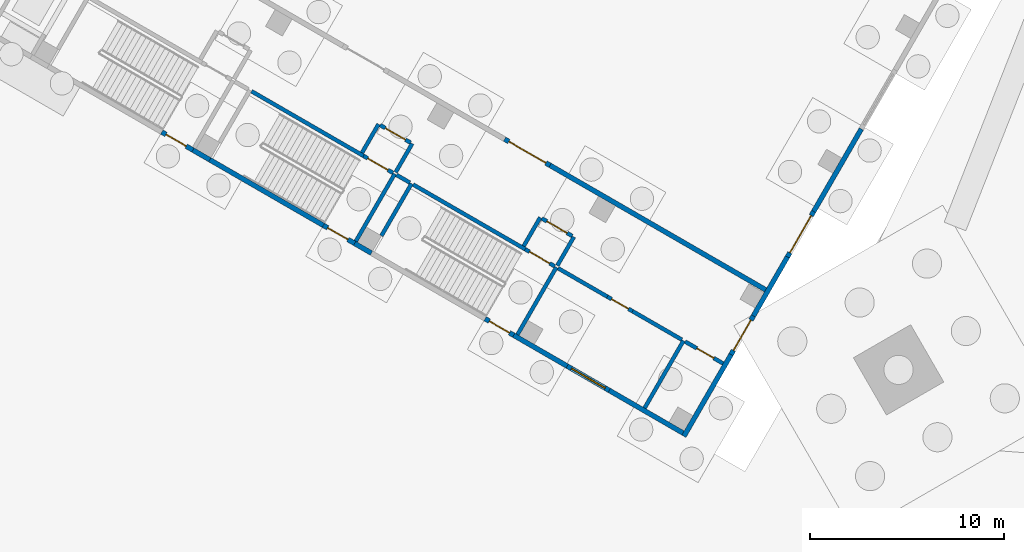
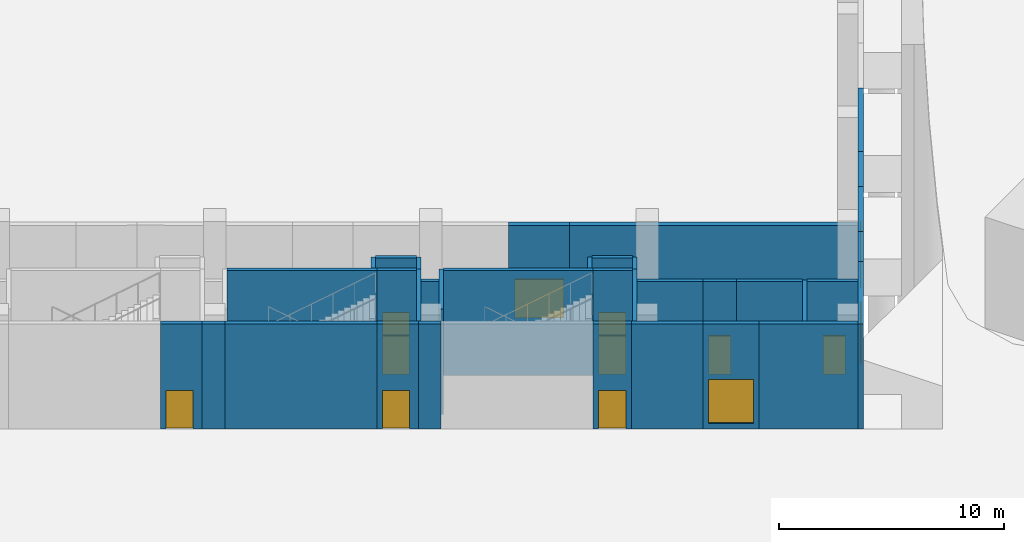
# One storey, part 10 of 38: 35 walls, 12 doors, 1 window, 13 openings.
"""IFC4 building model written with IfcOpenShell, lengths in metres."""

from ifc_helpers import new_model, si_unit, direction, frame, frame_2d, origin, place, context, subcontext, project, spatial, rectangle, extrude, material, layer, layer_set, type_object, element, fill, save


model = new_model("IFC4")

# Units and contexts
model_context = context("Model", 3, precision=1e-05, world=origin(), true_north=direction((0.0, 1.0)))
body_context = subcontext(model_context, "Body", "Model", "MODEL_VIEW")
ifc_project = project(units=[si_unit("LENGTHUNIT", "METRE"), si_unit("AREAUNIT", "SQUARE_METRE"), si_unit("VOLUMEUNIT", "CUBIC_METRE"), si_unit("PLANEANGLEUNIT", "RADIAN"), si_unit("MASSUNIT", "GRAM", prefix="KILO")], contexts=[model_context])

# Site, building, storey
site_placement = place(None, origin())
site = spatial("IfcSite", under=ifc_project, at=site_placement, CompositionType="ELEMENT")
building_placement = place(site_placement, origin())
building = spatial("IfcBuilding", under=site, at=building_placement, Name="Mestral Congress Tower", CompositionType="ELEMENT")
storey_placement = place(building_placement, origin())
storey = spatial("IfcBuildingStorey", under=building, at=storey_placement, Name="L00", CompositionType="ELEMENT", Elevation=0.0)

# Wall
ifc_material_1 = material(Name="Precast concrete C40/50 with limestone facing", Category="masonry")
ifc_layer_1 = layer(ifc_material_1, 0.25)
ifc_layer_set_1 = layer_set([ifc_layer_1], Name="Precast concrete C40/50 with limestone facing")
wall_type_1 = type_object("IfcWallType", Name="Podium external wall 250", PredefinedType="SOLIDWALL", material=ifc_layer_set_1)
wall_1_placement = place(storey_placement, frame((-33.4375, -5.8095703125, 0.0), z_axis=(0.0, 0.0, 1.0), x_axis=(-0.500040169509, -0.866002210665, 0.0)))
element("IfcWall", 1, at=wall_1_placement, inside=storey, type_object=wall_type_1, Name="L00 external wall", PredefinedType="SOLIDWALL", context=body_context, shape_type="SweptSolid", body=[
    extrude(rectangle(XDim=4.89990234375, YDim=0.25, at=frame_2d((2.449951171875, 0.0))), origin(), (0.0, 0.0, 1.0), 5.699951171875),
])

# Wall, opening, door
wall_2_placement = place(storey_placement, frame((-35.8876953125, -10.052978515625, 0.0), z_axis=(0.0, 0.0, 1.0), x_axis=(-0.4999416173, -0.866059108428, 0.0)))
wall_2 = element("IfcWall", 2, at=wall_2_placement, inside=storey, type_object=wall_type_1, Name="L00 external wall", PredefinedType="SOLIDWALL", context=body_context, shape_type="SweptSolid", body=[
    extrude(rectangle(XDim=2.699951171875, YDim=0.25, at=frame_2d((1.35009765625, 0.0))), origin(), (0.0, 0.0, 1.0), 5.699951171875),
])
opening_1_placement = place(wall_2_placement, frame((0.25, 0.0, 0.0)))
opening_1 = element("IfcOpeningElement", 3, at=opening_1_placement, cuts=wall_2, Name="Opening P00-305", PredefinedType="OPENING", context=body_context, shape_type="SweptSolid", body=[
    extrude(rectangle(XDim=2.199951171875, YDim=2.10009765625, at=frame_2d((1.10009765625, 1.050048828125))), frame((0.0, 0.135009765625, 0.0), z_axis=(0.0, -1.0, 0.0), x_axis=(1.0, 0.0, 0.0)), (0.0, 0.0, 1.0), 0.27001953125),
])
ifc_material_2 = material(Name="Steel and glass door set", Category="steel")
door_type_1 = type_object("IfcDoorType", Name="Podium exit door 2200x2100", OperationType="DOUBLE_DOOR_SINGLE_SWING", PredefinedType="DOOR", material=ifc_material_2)
door_1_placement = place(opening_1_placement, origin())
door_1 = element("IfcDoor", 4, at=door_1_placement, inside=storey, type_object=door_type_1, Name="Door P00-305", OperationType="DOUBLE_DOOR_SINGLE_SWING", OverallHeight=2.10009765625, OverallWidth=2.199951171875, PredefinedType="DOOR", context=body_context, shape_type="SweptSolid", body=[
    extrude(rectangle(XDim=2.199951171875, YDim=2.10009765625, at=frame_2d((1.10009765625, 1.050048828125))), frame((0.0, 0.02490234375, 0.0), z_axis=(0.0, -1.0, 0.0), x_axis=(1.0, 0.0, 0.0)), (0.0, 0.0, 1.0), 0.050048828125),
])
fill(opening_1, door_1)

# Wall
wall_3_placement = place(storey_placement, frame((-37.237548828125, -12.391357421875, 0.0), z_axis=(0.0, 0.0, 1.0), x_axis=(-0.499980071345, -0.866036909293, 0.0)))
element("IfcWall", 5, at=wall_3_placement, inside=storey, type_object=wall_type_1, Name="L00 external wall", PredefinedType="SOLIDWALL", context=body_context, shape_type="SweptSolid", body=[
    extrude(rectangle(XDim=3.500244140625, YDim=0.25, at=frame_2d((1.75, 0.0))), origin(), (0.0, 0.0, 1.0), 5.699951171875),
])

# Wall, opening, door
wall_4_placement = place(storey_placement, frame((-38.987548828125, -15.422607421875, 0.0), z_axis=(0.0, 0.0, 1.0), x_axis=(-0.500077740698, -0.865980515519, 0.0)))
wall_4 = element("IfcWall", 6, at=wall_4_placement, inside=storey, type_object=wall_type_1, Name="L00 external wall", PredefinedType="SOLIDWALL", context=body_context, shape_type="SweptSolid", body=[
    extrude(rectangle(XDim=2.300048828125, YDim=0.25, at=frame_2d((1.14990234375, 0.0))), origin(), (0.0, 0.0, 1.0), 5.699951171875),
])
opening_2_placement = place(wall_4_placement, frame((0.25, 0.0, 0.0)))
opening_2 = element("IfcOpeningElement", 7, at=opening_2_placement, cuts=wall_4, Name="Opening P00-306", PredefinedType="OPENING", context=body_context, shape_type="SweptSolid", body=[
    extrude(rectangle(XDim=1.800048828125, YDim=2.10009765625, at=frame_2d((0.89990234375, 1.050048828125))), frame((0.0, 0.135009765625, 0.0), z_axis=(0.0, -1.0, 0.0), x_axis=(1.0, 0.0, 0.0)), (0.0, 0.0, 1.0), 0.27001953125),
])
door_type_2 = type_object("IfcDoorType", Name="Podium exit door 1800x2100", OperationType="DOUBLE_DOOR_SINGLE_SWING", PredefinedType="DOOR", material=ifc_material_2)
door_2_placement = place(opening_2_placement, origin())
door_2 = element("IfcDoor", 8, at=door_2_placement, inside=storey, type_object=door_type_2, Name="Door P00-306", OperationType="DOUBLE_DOOR_SINGLE_SWING", OverallHeight=2.10009765625, OverallWidth=1.800048828125, PredefinedType="DOOR", context=body_context, shape_type="SweptSolid", body=[
    extrude(rectangle(XDim=1.800048828125, YDim=2.10009765625, at=frame_2d((0.89990234375, 1.050048828125))), frame((0.0, 0.02490234375, 0.0), z_axis=(0.0, -1.0, 0.0), x_axis=(1.0, 0.0, 0.0)), (0.0, 0.0, 1.0), 0.050048828125),
])
fill(opening_2, door_2)

# Walls
wall_5_placement = place(storey_placement, frame((-40.1376953125, -17.414306640625, 0.0), z_axis=(0.0, 0.0, 1.0), x_axis=(-0.499972286653, -0.866041403502, 0.0)))
element("IfcWall", 9, at=wall_5_placement, inside=storey, type_object=wall_type_1, Name="L00 external wall", PredefinedType="SOLIDWALL", context=body_context, shape_type="SweptSolid", body=[
    extrude(rectangle(XDim=4.849853515625, YDim=0.25, at=frame_2d((2.4248046875, 0.0))), origin(), (0.0, 0.0, 1.0), 5.699951171875),
])
wall_6_placement = place(storey_placement, frame((-42.6083984375, -21.44384765625, 0.0), z_axis=(0.0, 0.0, 1.0), x_axis=(-0.866022959057, 0.500004234368, 0.0)))
element("IfcWall", 10, at=wall_6_placement, inside=storey, type_object=wall_type_1, Name="L00 external wall", PredefinedType="SOLIDWALL", context=body_context, shape_type="SweptSolid", body=[
    extrude(rectangle(XDim=4.375, YDim=0.25, at=frame_2d((2.1875, 0.0))), origin(), (0.0, 0.0, 1.0), 5.699951171875),
])

# Wall, opening, window
wall_7_placement = place(storey_placement, frame((-46.397216796875, -19.25634765625, 0.0), z_axis=(0.0, 0.0, 1.0), x_axis=(-0.866022959057, 0.500004234368, 0.0)))
wall_7 = element("IfcWall", 11, at=wall_7_placement, inside=storey, type_object=wall_type_1, Name="L00 external wall", PredefinedType="SOLIDWALL", context=body_context, shape_type="SweptSolid", body=[
    extrude(rectangle(XDim=2.5, YDim=0.25, at=frame_2d((1.25, 0.0))), origin(), (0.0, 0.0, 1.0), 5.699951171875),
])
opening_3_placement = place(wall_7_placement, frame((0.25, 0.0, 0.300048828125)))
opening_3 = element("IfcOpeningElement", 12, at=opening_3_placement, cuts=wall_7, Name="Opening PW-2000x2400", PredefinedType="OPENING", context=body_context, shape_type="SweptSolid", body=[
    extrude(rectangle(XDim=2.0, YDim=2.39990234375, at=frame_2d((1.0, 1.199951171875))), frame((0.0, 0.135009765625, 0.0), z_axis=(0.0, -1.0, 0.0), x_axis=(1.0, 0.0, 0.0)), (0.0, 0.0, 1.0), 0.27001953125),
])
ifc_material_3 = material(Name="Aluminium frame, clear double glazing", Category="aluminium")
window_type = type_object("IfcWindowType", Name="Podium window 2000x2400 sill 300", PartitioningType="SINGLE_PANEL", PredefinedType="WINDOW", material=ifc_material_3)
window_placement = place(opening_3_placement, origin())
window = element("IfcWindow", 13, at=window_placement, inside=storey, type_object=window_type, Name="Window", OverallHeight=2.39990234375, OverallWidth=2.0, PartitioningType="SINGLE_PANEL", PredefinedType="WINDOW", context=body_context, shape_type="SweptSolid", body=[
    extrude(rectangle(XDim=2.0, YDim=2.39990234375, at=frame_2d((1.0, 1.199951171875))), frame((0.0, 0.030029296875, 0.0), z_axis=(0.0, -1.0, 0.0), x_axis=(1.0, 0.0, 0.0)), (0.0, 0.0, 1.0), 0.06005859375),
])
fill(opening_3, window)

# Wall
wall_8_placement = place(storey_placement, frame((-48.562255859375, -18.00634765625, 0.0), z_axis=(0.0, 0.0, 1.0), x_axis=(-0.866015284814, 0.500017526161, 0.0)))
element("IfcWall", 14, at=wall_8_placement, inside=storey, type_object=wall_type_1, Name="L00 external wall", PredefinedType="SOLIDWALL", context=body_context, shape_type="SweptSolid", body=[
    extrude(rectangle(XDim=3.17529296875, YDim=0.25, at=frame_2d((1.587646484375, 0.0))), origin(), (0.0, 0.0, 1.0), 5.699951171875),
])

# Wall, opening, door
wall_9_placement = place(storey_placement, frame((-51.31201171875, -16.418701171875, 0.0), z_axis=(0.0, 0.0, 1.0), x_axis=(-0.86605165483, 0.499954529098, 0.0)))
wall_9 = element("IfcWall", 15, at=wall_9_placement, inside=storey, type_object=wall_type_1, Name="L00 external wall", PredefinedType="SOLIDWALL", context=body_context, shape_type="SweptSolid", body=[
    extrude(rectangle(XDim=1.699951171875, YDim=0.25, at=frame_2d((0.85009765625, 0.0))), origin(), (0.0, 0.0, 1.0), 5.699951171875),
])
opening_4_placement = place(wall_9_placement, frame((0.25, 0.0, 0.0)))
opening_4 = element("IfcOpeningElement", 16, at=opening_4_placement, cuts=wall_9, Name="Opening P00-316", PredefinedType="OPENING", context=body_context, shape_type="SweptSolid", body=[
    extrude(rectangle(XDim=1.199951171875, YDim=2.10009765625, at=frame_2d((0.60009765625, 1.050048828125))), frame((0.0, 0.135009765625, 0.0), z_axis=(0.0, -1.0, 0.0), x_axis=(1.0, 0.0, 0.0)), (0.0, 0.0, 1.0), 0.27001953125),
])
door_type_3 = type_object("IfcDoorType", Name="Podium exit door 1200x2100", OperationType="SINGLE_SWING_LEFT", PredefinedType="DOOR", material=ifc_material_2)
door_3_placement = place(opening_4_placement, origin())
door_3 = element("IfcDoor", 17, at=door_3_placement, inside=storey, type_object=door_type_3, Name="Door P00-316", OperationType="SINGLE_SWING_LEFT", OverallHeight=2.10009765625, OverallWidth=1.199951171875, PredefinedType="DOOR", context=body_context, shape_type="SweptSolid", body=[
    extrude(rectangle(XDim=1.199951171875, YDim=2.10009765625, at=frame_2d((0.60009765625, 1.050048828125))), frame((0.0, 0.02490234375, 0.0), z_axis=(0.0, -1.0, 0.0), x_axis=(1.0, 0.0, 0.0)), (0.0, 0.0, 1.0), 0.050048828125),
])
fill(opening_4, door_3)

wall_10_placement = place(storey_placement, frame((-59.495849609375, -11.69384765625, 0.0), z_axis=(0.0, 0.0, 1.0), x_axis=(-0.866000971088, 0.500042316284, 0.0)))
wall_10 = element("IfcWall", 18, at=wall_10_placement, inside=storey, type_object=wall_type_1, Name="L00 external wall", PredefinedType="SOLIDWALL", context=body_context, shape_type="SweptSolid", body=[
    extrude(rectangle(XDim=1.849853515625, YDim=0.25, at=frame_2d((0.9248046875, 0.0))), origin(), (0.0, 0.0, 1.0), 5.699951171875),
])
opening_5_placement = place(wall_10_placement, frame((0.39990234375, 0.0, 0.0)))
opening_5 = element("IfcOpeningElement", 19, at=opening_5_placement, cuts=wall_10, Name="Opening P00-317", PredefinedType="OPENING", context=body_context, shape_type="SweptSolid", body=[
    extrude(rectangle(XDim=1.199951171875, YDim=2.10009765625, at=frame_2d((0.60009765625, 1.050048828125))), frame((0.0, 0.135009765625, 0.0), z_axis=(0.0, -1.0, 0.0), x_axis=(1.0, 0.0, 0.0)), (0.0, 0.0, 1.0), 0.27001953125),
])
door_4_placement = place(opening_5_placement, origin())
door_4 = element("IfcDoor", 20, at=door_4_placement, inside=storey, type_object=door_type_3, Name="Door P00-317", OperationType="SINGLE_SWING_LEFT", OverallHeight=2.10009765625, OverallWidth=1.199951171875, PredefinedType="DOOR", context=body_context, shape_type="SweptSolid", body=[
    extrude(rectangle(XDim=1.199951171875, YDim=2.10009765625, at=frame_2d((0.60009765625, 1.050048828125))), frame((0.0, 0.02490234375, 0.0), z_axis=(0.0, -1.0, 0.0), x_axis=(1.0, 0.0, 0.0)), (0.0, 0.0, 1.0), 0.050048828125),
])
fill(opening_5, door_4)

# Wall
wall_11_placement = place(storey_placement, frame((-61.097900390625, -10.768798828125, 0.0), z_axis=(0.0, 0.0, 1.0), x_axis=(-0.866026575979, 0.499997969693, 0.0)))
element("IfcWall", 21, at=wall_11_placement, inside=storey, type_object=wall_type_1, Name="L00 external wall", PredefinedType="SOLIDWALL", context=body_context, shape_type="SweptSolid", body=[
    extrude(rectangle(XDim=6.75, YDim=0.25, at=frame_2d((3.375, 0.0))), origin(), (0.0, 0.0, 1.0), 5.699951171875),
])

# Wall, opening, door
wall_12_placement = place(storey_placement, frame((-67.8095703125, -6.893798828125, 0.0), z_axis=(0.0, 0.0, 1.0), x_axis=(-0.866033964044, 0.499985172903, 0.0)))
wall_12 = element("IfcWall", 22, at=wall_12_placement, inside=storey, type_object=wall_type_1, Name="L00 external wall", PredefinedType="SOLIDWALL", context=body_context, shape_type="SweptSolid", body=[
    extrude(rectangle(XDim=1.85009765625, YDim=0.25, at=frame_2d((0.925048828125, 0.0))), origin(), (0.0, 0.0, 1.0), 5.699951171875),
])
opening_6_placement = place(wall_12_placement, frame((0.39990234375, 0.0, 0.0)))
opening_6 = element("IfcOpeningElement", 23, at=opening_6_placement, cuts=wall_12, Name="Opening P00-318", PredefinedType="OPENING", context=body_context, shape_type="SweptSolid", body=[
    extrude(rectangle(XDim=1.199951171875, YDim=2.10009765625, at=frame_2d((0.60009765625, 1.050048828125))), frame((0.0, 0.135009765625, 0.0), z_axis=(0.0, -1.0, 0.0), x_axis=(1.0, 0.0, 0.0)), (0.0, 0.0, 1.0), 0.27001953125),
])
door_5_placement = place(opening_6_placement, origin())
door_5 = element("IfcDoor", 24, at=door_5_placement, inside=storey, type_object=door_type_3, Name="Door P00-318", OperationType="SINGLE_SWING_LEFT", OverallHeight=2.10009765625, OverallWidth=1.199951171875, PredefinedType="DOOR", context=body_context, shape_type="SweptSolid", body=[
    extrude(rectangle(XDim=1.199951171875, YDim=2.10009765625, at=frame_2d((0.60009765625, 1.050048828125))), frame((0.0, 0.02490234375, 0.0), z_axis=(0.0, -1.0, 0.0), x_axis=(1.0, 0.0, 0.0)), (0.0, 0.0, 1.0), 0.050048828125),
])
fill(opening_6, door_5)

# Walls
for number, where, z_axis, x_axis, name in (
    (25, (-58.6298828125, -12.19384765625, 0.0), (0.0, 0.0, 1.0), (-0.866010750942, 0.50002537861, 0.0), "L00 external wall"),
    (26, (-66.943603515625, -7.393798828125, 0.0), (0.0, 0.0, 1.0), (-0.866010750942, 0.50002537861, 0.0), "L00 external wall"),
):
    element("IfcWall", number, at=place(storey_placement, frame(where, z_axis=z_axis, x_axis=x_axis)), inside=storey, type_object=wall_type_1, Name=name, PredefinedType="SOLIDWALL", context=body_context, shape_type="SweptSolid", body=[
        extrude(rectangle(XDim=1.0, YDim=0.25, at=frame_2d((0.5, 0.0))), origin(), (0.0, 0.0, 1.0), 5.699951171875),
    ])
ifc_material_4 = material(Name="Masonry block wall", Category="masonry")
ifc_layer_2 = layer(ifc_material_4, 0.25)
ifc_layer_set_2 = layer_set([ifc_layer_2], Name="Masonry block wall")
wall_type_2 = type_object("IfcWallType", Name="Podium hall wall 250 EI 180", PredefinedType="SOLIDWALL", material=ifc_layer_set_2)
wall_13_placement = place(storey_placement, frame((-38.3583984375, -14.08251953125, 0.0), z_axis=(0.0, 0.0, 1.0), x_axis=(-0.866025499775, 0.499999833739, 0.0)))
element("IfcWall", 27, at=wall_13_placement, inside=storey, type_object=wall_type_2, Name="L00 partition", PredefinedType="SOLIDWALL", context=body_context, shape_type="SweptSolid", body=[
    extrude(rectangle(XDim=12.7998046875, YDim=0.25, at=frame_2d((6.39990234375, 0.0))), origin(), (0.0, 0.0, 1.0), 5.10009765625),
])

# Wall, opening, door
wall_14_placement = place(storey_placement, frame((-49.443359375, -7.6826171875, 0.0), z_axis=(0.0, 0.0, 1.0), x_axis=(-0.866019956843, 0.50000943426, 0.0)))
wall_14 = element("IfcWall", 28, at=wall_14_placement, inside=storey, type_object=wall_type_2, Name="L00 partition", PredefinedType="SOLIDWALL", context=body_context, shape_type="SweptSolid", body=[
    extrude(rectangle(XDim=2.7001953125, YDim=0.25, at=frame_2d((1.35009765625, 0.0))), origin(), (0.0, 0.0, 1.0), 5.10009765625),
])
opening_7_placement = place(wall_14_placement, frame((0.25, 0.0, 0.0)))
opening_7 = element("IfcOpeningElement", 29, at=opening_7_placement, cuts=wall_14, Name="Opening P00-338", PredefinedType="OPENING", context=body_context, shape_type="SweptSolid", body=[
    extrude(rectangle(XDim=2.199951171875, YDim=2.10009765625, at=frame_2d((1.10009765625, 1.050048828125))), frame((0.0, 0.135009765625, 0.0), z_axis=(0.0, -1.0, 0.0), x_axis=(1.0, 0.0, 0.0)), (0.0, 0.0, 1.0), 0.27001953125),
])
ifc_material_5 = material(Name="Fire-rated steel door set", Category="steel")
door_type_4 = type_object("IfcDoorType", Name="Podium hall door 2200x2100 EI2 90-C5", OperationType="DOUBLE_DOOR_SINGLE_SWING", PredefinedType="DOOR", material=ifc_material_5)
door_6_placement = place(opening_7_placement, origin())
door_6 = element("IfcDoor", 30, at=door_6_placement, inside=storey, type_object=door_type_4, Name="Door P00-338", OperationType="DOUBLE_DOOR_SINGLE_SWING", OverallHeight=2.10009765625, OverallWidth=2.199951171875, PredefinedType="DOOR", context=body_context, shape_type="SweptSolid", body=[
    extrude(rectangle(XDim=2.199951171875, YDim=2.10009765625, at=frame_2d((1.10009765625, 1.050048828125))), frame((0.0, 0.02490234375, 0.0), z_axis=(0.0, -1.0, 0.0), x_axis=(1.0, 0.0, 0.0)), (0.0, 0.0, 1.0), 0.050048828125),
])
fill(opening_7, door_6)

# Walls
ifc_layer_3 = layer(ifc_material_4, 0.199951171875)
ifc_layer_set_3 = layer_set([ifc_layer_3], Name="Masonry block wall")
wall_type_3 = type_object("IfcWallType", Name="Podium stair enclosure wall 200 EI 120 load-bearing", PredefinedType="SOLIDWALL", material=ifc_layer_set_3)
wall_15_placement = place(storey_placement, frame((-49.119384765625, -12.92138671875, 0.0), z_axis=(0.0, 0.0, 1.0), x_axis=(-0.49999894854, -0.866026010844, 0.0)))
element("IfcWall", 31, at=wall_15_placement, inside=storey, type_object=wall_type_3, Name="L00 partition", PredefinedType="SOLIDWALL", context=body_context, shape_type="SweptSolid", body=[
    extrude(rectangle(XDim=4.0, YDim=0.199951171875, at=frame_2d((2.0, 0.0))), origin(), (0.0, 0.0, 1.0), 5.699951171875),
])
wall_16_placement = place(storey_placement, frame((-56.5673828125, -8.621337890625, 0.0), z_axis=(0.0, 0.0, 1.0), x_axis=(-0.499933790963, -0.866063626216, 0.0)))
element("IfcWall", 32, at=wall_16_placement, inside=storey, type_object=wall_type_3, Name="L00 partition", PredefinedType="SOLIDWALL", context=body_context, shape_type="SweptSolid", body=[
    extrude(rectangle(XDim=3.10009765625, YDim=0.199951171875, at=frame_2d((1.550048828125, 0.0))), origin(), (0.0, 0.0, 1.0), 5.699951171875),
])
wall_17_placement = place(storey_placement, frame((-57.433349609375, -8.121337890625, 0.0), z_axis=(0.0, 0.0, 1.0), x_axis=(-0.49999894854, -0.866026010844, 0.0)))
element("IfcWall", 33, at=wall_17_placement, inside=storey, type_object=wall_type_3, Name="L00 partition", PredefinedType="SOLIDWALL", context=body_context, shape_type="SweptSolid", body=[
    extrude(rectangle(XDim=4.0, YDim=0.199951171875, at=frame_2d((2.0, 0.0))), origin(), (0.0, 0.0, 1.0), 5.699951171875),
])

# Wall, opening, door
wall_18_placement = place(storey_placement, frame((-49.2060546875, -12.871337890625, 0.0), z_axis=(0.0, 0.0, 1.0), x_axis=(-0.866036909293, 0.499980071345, 0.0)))
wall_18 = element("IfcWall", 34, at=wall_18_placement, inside=storey, type_object=wall_type_3, Name="L00 partition", PredefinedType="SOLIDWALL", context=body_context, shape_type="SweptSolid", body=[
    extrude(rectangle(XDim=1.75, YDim=0.199951171875, at=frame_2d((0.875, 0.0))), origin(), (0.0, 0.0, 1.0), 5.699951171875),
])
opening_8_placement = place(wall_18_placement, frame((0.300048828125, 0.0, 0.0)))
opening_8 = element("IfcOpeningElement", 35, at=opening_8_placement, cuts=wall_18, Name="Opening P00-322", PredefinedType="OPENING", context=body_context, shape_type="SweptSolid", body=[
    extrude(rectangle(XDim=1.199951171875, YDim=2.10009765625, at=frame_2d((0.60009765625, 1.050048828125))), frame((0.0, 0.10986328125, 0.0), z_axis=(0.0, -1.0, 0.0), x_axis=(1.0, 0.0, 0.0)), (0.0, 0.0, 1.0), 0.219970703125),
])
door_type_5 = type_object("IfcDoorType", Name="Podium stair door 1200x2100 EI2 30-C5", OperationType="SINGLE_SWING_LEFT", PredefinedType="DOOR", material=ifc_material_5)
door_7_placement = place(opening_8_placement, origin())
door_7 = element("IfcDoor", 36, at=door_7_placement, inside=storey, type_object=door_type_5, Name="Door P00-322", OperationType="SINGLE_SWING_LEFT", OverallHeight=2.10009765625, OverallWidth=1.199951171875, PredefinedType="DOOR", context=body_context, shape_type="SweptSolid", body=[
    extrude(rectangle(XDim=1.199951171875, YDim=2.10009765625, at=frame_2d((0.60009765625, 1.050048828125))), frame((0.0, 0.02490234375, 0.0), z_axis=(0.0, -1.0, 0.0), x_axis=(1.0, 0.0, 0.0)), (0.0, 0.0, 1.0), 0.050048828125),
])
fill(opening_8, door_7)

# Wall
wall_19_placement = place(storey_placement, frame((-50.7216796875, -11.996337890625, 0.0), z_axis=(0.0, 0.0, 1.0), x_axis=(-0.866027239912, 0.49999681972, 0.0)))
element("IfcWall", 37, at=wall_19_placement, inside=storey, type_object=wall_type_3, Name="L00 partition", PredefinedType="SOLIDWALL", context=body_context, shape_type="SweptSolid", body=[
    extrude(rectangle(XDim=6.64990234375, YDim=0.199951171875, at=frame_2d((3.324951171875, 0.0))), origin(), (0.0, 0.0, 1.0), 5.699951171875),
])

# Wall, opening, door
wall_20_placement = place(storey_placement, frame((-57.52001953125, -8.0712890625, 0.0), z_axis=(0.0, 0.0, 1.0), x_axis=(-0.866002029911, 0.500040482552, 0.0)))
wall_20 = element("IfcWall", 38, at=wall_20_placement, inside=storey, type_object=wall_type_3, Name="L00 partition", PredefinedType="SOLIDWALL", context=body_context, shape_type="SweptSolid", body=[
    extrude(rectangle(XDim=1.749755859375, YDim=0.199951171875, at=frame_2d((0.875, 0.0))), origin(), (0.0, 0.0, 1.0), 5.699951171875),
])
opening_9_placement = place(wall_20_placement, frame((0.300048828125, 0.0, 0.0)))
opening_9 = element("IfcOpeningElement", 39, at=opening_9_placement, cuts=wall_20, Name="Opening P00-323", PredefinedType="OPENING", context=body_context, shape_type="SweptSolid", body=[
    extrude(rectangle(XDim=1.199951171875, YDim=2.10009765625, at=frame_2d((0.60009765625, 1.050048828125))), frame((0.0, 0.10986328125, 0.0), z_axis=(0.0, -1.0, 0.0), x_axis=(1.0, 0.0, 0.0)), (0.0, 0.0, 1.0), 0.219970703125),
])
door_8_placement = place(opening_9_placement, origin())
door_8 = element("IfcDoor", 40, at=door_8_placement, inside=storey, type_object=door_type_5, Name="Door P00-323", OperationType="SINGLE_SWING_LEFT", OverallHeight=2.10009765625, OverallWidth=1.199951171875, PredefinedType="DOOR", context=body_context, shape_type="SweptSolid", body=[
    extrude(rectangle(XDim=1.199951171875, YDim=2.10009765625, at=frame_2d((0.60009765625, 1.050048828125))), frame((0.0, 0.02490234375, 0.0), z_axis=(0.0, -1.0, 0.0), x_axis=(1.0, 0.0, 0.0)), (0.0, 0.0, 1.0), 0.050048828125),
])
fill(opening_9, door_8)

# Walls
wall_21_placement = place(storey_placement, frame((-59.035400390625, -7.1962890625, 0.0), z_axis=(0.0, 0.0, 1.0), x_axis=(-0.866027239912, 0.49999681972, 0.0)))
element("IfcWall", 41, at=wall_21_placement, inside=storey, type_object=wall_type_3, Name="L00 partition", PredefinedType="SOLIDWALL", context=body_context, shape_type="SweptSolid", body=[
    extrude(rectangle(XDim=6.64990234375, YDim=0.199951171875, at=frame_2d((3.324951171875, 0.0))), origin(), (0.0, 0.0, 1.0), 5.699951171875),
])
ifc_material_6 = material(Name="Fire-rated board partition")
ifc_layer_4 = layer(ifc_material_6, 0.199951171875)
ifc_layer_set_4 = layer_set([ifc_layer_4], Name="Fire-rated board partition")
wall_type_4 = type_object("IfcWallType", Name="Podium vestibule wall 200 EI 120", PredefinedType="PARTITIONING", material=ifc_layer_set_4)
for number, where, z_axis, x_axis, name in (
    (42, (-48.219482421875, -11.362548828125, 0.0), (0.0, 0.0, 1.0), (-0.500062241894, -0.865989465428, 0.0), "L00 partition"),
    (43, (-49.951416015625, -10.362548828125, 0.0), (0.0, 0.0, 1.0), (-0.500062241894, -0.865989465428, 0.0), "L00 partition"),
):
    element("IfcWall", number, at=place(storey_placement, frame(where, z_axis=z_axis, x_axis=x_axis)), inside=storey, type_object=wall_type_4, Name=name, PredefinedType="PARTITIONING", context=body_context, shape_type="SweptSolid", body=[
        extrude(rectangle(XDim=1.699951171875, YDim=0.199951171875, at=frame_2d((0.85009765625, 0.0))), origin(), (0.0, 0.0, 1.0), 5.10009765625),
    ])
for number, where, z_axis, x_axis, name in (
    (44, (-56.533203125, -6.5625, 0.0), (0.0, 0.0, 1.0), (-0.500000056704, -0.866025371046, 0.0), "L00 partition"),
    (45, (-58.265380859375, -5.5625, 0.0), (0.0, 0.0, 1.0), (-0.500000056704, -0.866025371046, 0.0), "L00 partition"),
):
    element("IfcWall", number, at=place(storey_placement, frame(where, z_axis=z_axis, x_axis=x_axis)), inside=storey, type_object=wall_type_4, Name=name, PredefinedType="PARTITIONING", context=body_context, shape_type="SweptSolid", body=[
        extrude(rectangle(XDim=1.7001953125, YDim=0.199951171875, at=frame_2d((0.85009765625, 0.0))), origin(), (0.0, 0.0, 1.0), 5.10009765625),
    ])

# Wall, opening, door
wall_22_placement = place(storey_placement, frame((-48.30615234375, -11.3125, 0.0), z_axis=(0.0, 0.0, 1.0), x_axis=(-0.866047807691, 0.499961193289, 0.0)))
wall_22 = element("IfcWall", 46, at=wall_22_placement, inside=storey, type_object=wall_type_4, Name="L00 partition", PredefinedType="PARTITIONING", context=body_context, shape_type="SweptSolid", body=[
    extrude(rectangle(XDim=1.800048828125, YDim=0.199951171875, at=frame_2d((0.89990234375, 0.0))), origin(), (0.0, 0.0, 1.0), 5.10009765625),
])
opening_10_placement = place(wall_22_placement, frame((0.300048828125, 0.0, 0.0)))
opening_10 = element("IfcOpeningElement", 47, at=opening_10_placement, cuts=wall_22, Name="Opening P00-332", PredefinedType="OPENING", context=body_context, shape_type="SweptSolid", body=[
    extrude(rectangle(XDim=1.199951171875, YDim=2.10009765625, at=frame_2d((0.60009765625, 1.050048828125))), frame((0.0, 0.10986328125, 0.0), z_axis=(0.0, -1.0, 0.0), x_axis=(1.0, 0.0, 0.0)), (0.0, 0.0, 1.0), 0.219970703125),
])
door_type_6 = type_object("IfcDoorType", Name="Podium vestibule door 1200x2100 EI2 30-C5", OperationType="SINGLE_SWING_LEFT", PredefinedType="DOOR", material=ifc_material_5)
door_9_placement = place(opening_10_placement, origin())
door_9 = element("IfcDoor", 48, at=door_9_placement, inside=storey, type_object=door_type_6, Name="Door P00-332", OperationType="SINGLE_SWING_LEFT", OverallHeight=2.10009765625, OverallWidth=1.199951171875, PredefinedType="DOOR", context=body_context, shape_type="SweptSolid", body=[
    extrude(rectangle(XDim=1.199951171875, YDim=2.10009765625, at=frame_2d((0.60009765625, 1.050048828125))), frame((0.0, 0.02490234375, 0.0), z_axis=(0.0, -1.0, 0.0), x_axis=(1.0, 0.0, 0.0)), (0.0, 0.0, 1.0), 0.050048828125),
])
fill(opening_10, door_9)

wall_23_placement = place(storey_placement, frame((-56.619873046875, -6.5126953125, 0.0), z_axis=(0.0, 0.0, 1.0), x_axis=(-0.865989075817, 0.500062916607, 0.0)))
wall_23 = element("IfcWall", 49, at=wall_23_placement, inside=storey, type_object=wall_type_4, Name="L00 partition", PredefinedType="PARTITIONING", context=body_context, shape_type="SweptSolid", body=[
    extrude(rectangle(XDim=1.800048828125, YDim=0.199951171875, at=frame_2d((0.89990234375, 0.0))), origin(), (0.0, 0.0, 1.0), 5.10009765625),
])
opening_11_placement = place(wall_23_placement, frame((0.300048828125, 0.0, 0.0)))
opening_11 = element("IfcOpeningElement", 50, at=opening_11_placement, cuts=wall_23, Name="Opening P00-333", PredefinedType="OPENING", context=body_context, shape_type="SweptSolid", body=[
    extrude(rectangle(XDim=1.199951171875, YDim=2.10009765625, at=frame_2d((0.60009765625, 1.050048828125))), frame((0.0, 0.10986328125, 0.0), z_axis=(0.0, -1.0, 0.0), x_axis=(1.0, 0.0, 0.0)), (0.0, 0.0, 1.0), 0.219970703125),
])
door_10_placement = place(opening_11_placement, origin())
door_10 = element("IfcDoor", 51, at=door_10_placement, inside=storey, type_object=door_type_6, Name="Door P00-333", OperationType="SINGLE_SWING_LEFT", OverallHeight=2.10009765625, OverallWidth=1.199951171875, PredefinedType="DOOR", context=body_context, shape_type="SweptSolid", body=[
    extrude(rectangle(XDim=1.199951171875, YDim=2.10009765625, at=frame_2d((0.60009765625, 1.050048828125))), frame((0.0, 0.02490234375, 0.0), z_axis=(0.0, -1.0, 0.0), x_axis=(1.0, 0.0, 0.0)), (0.0, 0.0, 1.0), 0.050048828125),
])
fill(opening_11, door_10)

# Wall
wall_24_placement = place(storey_placement, frame((-42.5810546875, -16.6962890625, 0.0), z_axis=(0.0, 0.0, 1.0), x_axis=(-0.49999894854, -0.866026010844, 0.0)))
element("IfcWall", 52, at=wall_24_placement, inside=storey, type_object=wall_type_4, Name="L00 partition", PredefinedType="PARTITIONING", context=body_context, shape_type="SweptSolid", body=[
    extrude(rectangle(XDim=4.0, YDim=0.199951171875, at=frame_2d((2.0, 0.0))), origin(), (0.0, 0.0, 1.0), 5.10009765625),
])

# Wall, opening, door
wall_25_placement = place(storey_placement, frame((-40.5458984375, -17.871337890625, 0.0), z_axis=(0.0, 0.0, 1.0), x_axis=(-0.866017533419, 0.500013631625, 0.0)))
wall_25 = element("IfcWall", 53, at=wall_25_placement, inside=storey, type_object=wall_type_4, Name="L00 partition", PredefinedType="PARTITIONING", context=body_context, shape_type="SweptSolid", body=[
    extrude(rectangle(XDim=2.25, YDim=0.199951171875, at=frame_2d((1.125, 0.0))), origin(), (0.0, 0.0, 1.0), 5.10009765625),
])
opening_12_placement = place(wall_25_placement, frame((0.550048828125, 0.0, 0.0)))
opening_12 = element("IfcOpeningElement", 54, at=opening_12_placement, cuts=wall_25, Name="Opening P00-344", PredefinedType="OPENING", context=body_context, shape_type="SweptSolid", body=[
    extrude(rectangle(XDim=1.0, YDim=2.10009765625, at=frame_2d((0.5, 1.050048828125))), frame((0.0, 0.10986328125, 0.0), z_axis=(0.0, -1.0, 0.0), x_axis=(1.0, 0.0, 0.0)), (0.0, 0.0, 1.0), 0.219970703125),
])
door_type_7 = type_object("IfcDoorType", Name="Podium room door 1000x2100 EI2 30-C5", OperationType="SINGLE_SWING_LEFT", PredefinedType="DOOR", material=ifc_material_5)
door_11_placement = place(opening_12_placement, origin())
door_11 = element("IfcDoor", 55, at=door_11_placement, inside=storey, type_object=door_type_7, Name="Door P00-344", OperationType="SINGLE_SWING_LEFT", OverallHeight=2.10009765625, OverallWidth=1.0, PredefinedType="DOOR", context=body_context, shape_type="SweptSolid", body=[
    extrude(rectangle(XDim=1.0, YDim=2.10009765625, at=frame_2d((0.5, 1.050048828125))), frame((0.0, 0.02490234375, 0.0), z_axis=(0.0, -1.0, 0.0), x_axis=(1.0, 0.0, 0.0)), (0.0, 0.0, 1.0), 0.050048828125),
])
fill(opening_12, door_11)

# Wall
wall_26_placement = place(storey_placement, frame((-42.66748046875, -16.646484375, 0.0), z_axis=(0.0, 0.0, 1.0), x_axis=(-0.86601045545, 0.500025890382, 0.0)))
element("IfcWall", 56, at=wall_26_placement, inside=storey, type_object=wall_type_4, Name="L00 partition", PredefinedType="PARTITIONING", context=body_context, shape_type="SweptSolid", body=[
    extrude(rectangle(XDim=2.925048828125, YDim=0.199951171875, at=frame_2d((1.46240234375, 0.0))), origin(), (0.0, 0.0, 1.0), 5.10009765625),
])

# Wall, opening, door
wall_27_placement = place(storey_placement, frame((-45.20068359375, -15.183837890625, 0.0), z_axis=(0.0, 0.0, 1.0), x_axis=(-0.866031096941, 0.499990139034, 0.0)))
wall_27 = element("IfcWall", 57, at=wall_27_placement, inside=storey, type_object=wall_type_4, Name="L00 partition", PredefinedType="PARTITIONING", context=body_context, shape_type="SweptSolid", body=[
    extrude(rectangle(XDim=1.5, YDim=0.199951171875, at=frame_2d((0.75, 0.0))), origin(), (0.0, 0.0, 1.0), 5.10009765625),
])
opening_13_placement = place(wall_27_placement, frame((0.25, 0.0, 0.0)))
opening_13 = element("IfcOpeningElement", 58, at=opening_13_placement, cuts=wall_27, Name="Opening P00-348", PredefinedType="OPENING", context=body_context, shape_type="SweptSolid", body=[
    extrude(rectangle(XDim=1.0, YDim=2.10009765625, at=frame_2d((0.5, 1.050048828125))), frame((0.0, 0.10986328125, 0.0), z_axis=(0.0, -1.0, 0.0), x_axis=(1.0, 0.0, 0.0)), (0.0, 0.0, 1.0), 0.219970703125),
])
door_12_placement = place(opening_13_placement, origin())
door_12 = element("IfcDoor", 59, at=door_12_placement, inside=storey, type_object=door_type_7, Name="Door P00-348", OperationType="SINGLE_SWING_LEFT", OverallHeight=2.10009765625, OverallWidth=1.0, PredefinedType="DOOR", context=body_context, shape_type="SweptSolid", body=[
    extrude(rectangle(XDim=1.0, YDim=2.10009765625, at=frame_2d((0.5, 1.050048828125))), frame((0.0, 0.02490234375, 0.0), z_axis=(0.0, -1.0, 0.0), x_axis=(1.0, 0.0, 0.0)), (0.0, 0.0, 1.0), 0.050048828125),
])
fill(opening_13, door_12)

# Walls
wall_28_placement = place(storey_placement, frame((-46.499755859375, -14.433837890625, 0.0), z_axis=(0.0, 0.0, 1.0), x_axis=(-0.866046596414, 0.499963291492, 0.0)))
element("IfcWall", 60, at=wall_28_placement, inside=storey, type_object=wall_type_4, Name="L00 partition", PredefinedType="PARTITIONING", context=body_context, shape_type="SweptSolid", body=[
    extrude(rectangle(XDim=2.925048828125, YDim=0.199951171875, at=frame_2d((1.46240234375, 0.0))), origin(), (0.0, 0.0, 1.0), 5.10009765625),
])
wall_29_placement = place(storey_placement, frame((-56.65380859375, -8.5712890625, 0.0), z_axis=(0.0, 0.0, 1.0), x_axis=(-0.866094119867, 0.499880961361, 0.0)))
element("IfcWall", 61, at=wall_29_placement, inside=storey, type_object=wall_type_4, Name="L00 partition", PredefinedType="PARTITIONING", context=body_context, shape_type="SweptSolid", body=[
    extrude(rectangle(XDim=0.800048828125, YDim=0.199951171875, at=frame_2d((0.39990234375, 0.0))), origin(), (0.0, 0.0, 1.0), 5.10009765625),
])

save(model, "model.ifc")
